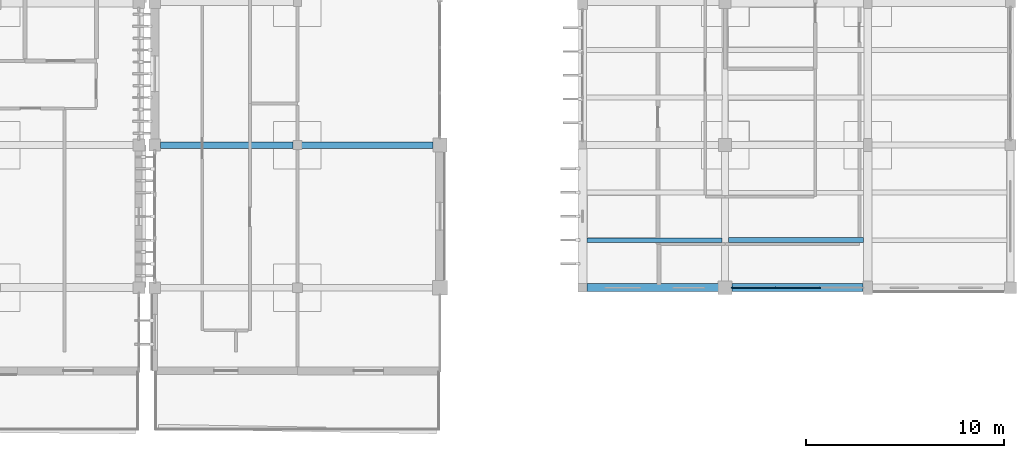
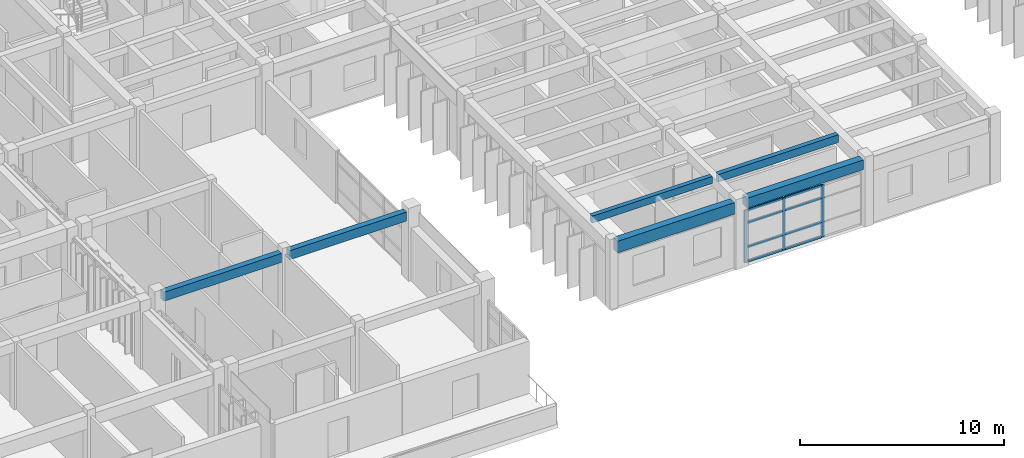
# One storey, part 5 of 55: 11 members, 6 beams, 1 element without a shape of its own.
"""IFC4 building model written with IfcOpenShell, lengths in metres."""

import ifcopenshell
import ifcopenshell.guid

model = None  # the IFC model being written
_history = None  # IfcOwnerHistory: only IFC2X3 demands one
_inside = {}  # id of a spatial element -> (the spatial element, [elements in it])
_under = {}  # id of a project, library or spatial element -> (it, [spatial elements below it])
_declared = {}  # id of a project -> (the project, [libraries it declares])
_typed = {}  # id of a type object -> (the type object, [elements of that type])
_made_of = {}  # id of a material, layer set ... -> (it, [elements and type objects made of it])


def new_model(schema):
    """Start an empty IFC model of exactly this schema.

    Asked for "IFC4X3", IfcOpenShell would pick the latest addendum, in which some entities
    have other attributes; the version numbers below select the first issue.
    IFC2X3 requires an IfcOwnerHistory on every rooted entity: one is made here for all.
    """
    global model, _history
    if schema == "IFC4X3":
        model = ifcopenshell.file(schema_version=(4, 3, 0, 0))
    else:
        model = ifcopenshell.file(schema=schema)
    _inside.clear()
    _under.clear()
    _declared.clear()
    _typed.clear()
    _made_of.clear()
    _history = None
    if model.schema == "IFC2X3":
        org = make("IfcOrganization", Name="unknown")
        user = make(
            "IfcPersonAndOrganization",
            ThePerson=make("IfcPerson", FamilyName="unknown"),
            TheOrganization=org,
        )
        app = make(
            "IfcApplication",
            ApplicationDeveloper=org,
            Version="unknown",
            ApplicationFullName="unknown",
            ApplicationIdentifier="unknown",
        )
        _history = make(
            "IfcOwnerHistory",
            OwningUser=user,
            OwningApplication=app,
            ChangeAction="ADDED",
            CreationDate=0,
        )
    return model


def make(cls, **values):
    """One entity of the class cls with the attributes given. An attribute that is None is left unset."""
    return model.create_entity(
        cls, **{name: value for name, value in values.items() if value is not None}
    )


def rooted(cls, **values):
    """An entity with a GlobalId (a new one), such as an element, a storey or a relation."""
    return make(cls, GlobalId=ifcopenshell.guid.new(), OwnerHistory=_history, **values)


def si_unit(unit_type, name, prefix=None):
    """IfcSIUnit, for example si_unit("LENGTHUNIT", "METRE", prefix="MILLI")."""
    return make("IfcSIUnit", UnitType=unit_type, Prefix=prefix, Name=name)


def assignment(units):
    """IfcUnitAssignment: the units of a project."""
    return None if units is None else make("IfcUnitAssignment", Units=units)


def point(xyz):
    """IfcCartesianPoint."""
    return None if xyz is None else make("IfcCartesianPoint", Coordinates=xyz)


def direction(xyz):
    """IfcDirection."""
    return None if xyz is None else make("IfcDirection", DirectionRatios=xyz)


def frame(location, z_axis=None, x_axis=None):
    """IfcAxis2Placement3D, a coordinate frame: its origin and axes. An axis left out is left unset."""
    return make(
        "IfcAxis2Placement3D",
        Location=point(location),
        Axis=direction(z_axis),
        RefDirection=direction(x_axis),
    )


def frame_2d(location, x_axis=None):
    """IfcAxis2Placement2D, a coordinate frame in the plane: its origin and x axis."""
    return make(
        "IfcAxis2Placement2D", Location=point(location), RefDirection=direction(x_axis)
    )


def origin():
    """The frame at (0, 0, 0) with its axes left unset."""
    return frame((0.0, 0.0, 0.0))


def origin_2d():
    """The frame at (0, 0) in the plane with its x axis left unset."""
    return frame_2d((0.0, 0.0))


def place(relative_to, where):
    """IfcLocalPlacement: puts the frame where relative to a parent placement (None: the world)."""
    return make(
        "IfcLocalPlacement", PlacementRelTo=relative_to, RelativePlacement=where
    )


def context(
    kind, dimensions, precision=None, world=None, true_north=None, identifier=None
):
    """IfcGeometricRepresentationContext, for example the 3D "Model" context."""
    return make(
        "IfcGeometricRepresentationContext",
        ContextIdentifier=identifier,
        ContextType=kind,
        CoordinateSpaceDimension=dimensions,
        Precision=precision,
        WorldCoordinateSystem=world,
        TrueNorth=true_north,
    )


def subcontext(parent, identifier, kind, view, scale=None):
    """IfcGeometricRepresentationSubContext, for example "Body" below "Model"."""
    return make(
        "IfcGeometricRepresentationSubContext",
        ContextIdentifier=identifier,
        ContextType=kind,
        ParentContext=parent,
        TargetScale=scale,
        TargetView=view,
    )


def project(units=None, contexts=None):
    """IfcProject with its units and contexts."""
    return rooted(
        "IfcProject",
        Name="project",
        RepresentationContexts=contexts,
        UnitsInContext=assignment(units),
    )


def spatial(cls, under=None, at=None, **own):
    """A site, building, storey or space (cls), placed at a placement, below another one or the project."""
    s = rooted(cls, ObjectPlacement=at, **own)
    if under is not None:
        _under.setdefault(under.id(), (under, []))[1].append(s)
    return s


def profile(cls, at=None, kind="AREA", **sizes):
    """A parametric profile (cls). Its sizes go by their IFC names, for example OverallWidth=200.0."""
    return make(cls, ProfileType=kind, Position=at, **sizes)


def rectangle(**sizes):
    """IfcRectangleProfileDef."""
    return profile("IfcRectangleProfileDef", **sizes)


def extrude(swept, where, along, depth):
    """IfcExtrudedAreaSolid: the profile swept, set in the frame where, extruded along a direction by depth."""
    return make(
        "IfcExtrudedAreaSolid",
        SweptArea=swept,
        Position=where,
        ExtrudedDirection=direction(along),
        Depth=depth,
    )


def shape(context_of_items, identifier, shape_type, items):
    """IfcShapeRepresentation: the items that make up one representation, for example the "Body"."""
    return make(
        "IfcShapeRepresentation",
        ContextOfItems=context_of_items,
        RepresentationIdentifier=identifier,
        RepresentationType=shape_type,
        Items=items,
    )


def material(Name=None, Category=None):
    """IfcMaterial."""
    return make("IfcMaterial", Name=Name, Category=Category)


def material_profile(
    of_material, cross_section, Name=None, Category=None, Priority=None
):
    """IfcMaterialProfile: a cross section and its material."""
    return make(
        "IfcMaterialProfile",
        Name=Name,
        Material=of_material,
        Profile=cross_section,
        Priority=Priority,
        Category=Category,
    )


def profile_set(profiles, Name=None, composite=None):
    """IfcMaterialProfileSet."""
    return make(
        "IfcMaterialProfileSet",
        Name=Name,
        MaterialProfiles=profiles,
        CompositeProfile=composite,
    )


def made_of(thing, what):
    """Note that an element or type object is made of a material, layer set ...; save() writes the relation."""
    if what is not None:
        _made_of.setdefault(what.id(), (what, []))[1].append(thing)
    return thing


def type_object(cls, material=None, **own):
    """A type object (cls), such as IfcWallType, which elements share."""
    return made_of(rooted(cls, **own), material)


def element(
    cls,
    number,
    at=None,
    inside=None,
    cuts=None,
    type_object=None,
    material=None,
    context=None,
    identifier="Body",
    shape_type=None,
    held_by="IfcProductDefinitionShape",
    body=None,
    shapes=None,
    **own,
):
    """One element of the class cls, such as IfcWall. Its Tag is "e" and its number.

    at: its placement. inside: the storey or other place that contains it. cuts: it is an
    opening in that element (IfcRelVoidsElement). A single representation is given by context,
    identifier, shape_type and body (its items); several are given by shapes. held_by: the class
    of the entity that holds the representations. save() writes the other relations.
    """
    e = rooted(cls, Tag="e%d" % number, ObjectPlacement=at, **own)
    if body is not None:
        shapes = [shape(context, identifier, shape_type, body)]
    if shapes is not None:
        e.Representation = make(held_by, Representations=shapes)
    if inside is not None:
        _inside.setdefault(inside.id(), (inside, []))[1].append(e)
    if cuts is not None:
        rooted(
            "IfcRelVoidsElement", RelatingBuildingElement=cuts, RelatedOpeningElement=e
        )
    if type_object is not None:
        _typed.setdefault(type_object.id(), (type_object, []))[1].append(e)
    return made_of(e, material)


def aggregate(whole, parts):
    """IfcRelAggregates: a whole, such as a stair, and the parts it consists of."""
    return rooted("IfcRelAggregates", RelatingObject=whole, RelatedObjects=parts)


def save(model, path):
    """Write the relations noted so far, then the file.

    IfcRelAggregates (storeys below a building ...), IfcRelContainedInSpatialStructure (elements
    in a storey), IfcRelDefinesByType, IfcRelAssociatesMaterial and IfcRelDeclares: one each for
    every whole, place, type object, material and project.
    """
    for whole, parts in _under.values():
        aggregate(whole, parts)
    for where, things in _inside.values():
        rooted(
            "IfcRelContainedInSpatialStructure",
            RelatedElements=things,
            RelatingStructure=where,
        )
    for kind, things in _typed.values():
        rooted("IfcRelDefinesByType", RelatedObjects=things, RelatingType=kind)
    for what, things in _made_of.values():
        rooted("IfcRelAssociatesMaterial", RelatedObjects=things, RelatingMaterial=what)
    for by, libraries in _declared.values():
        rooted("IfcRelDeclares", RelatingContext=by, RelatedDefinitions=libraries)
    model.write(path)


model = new_model("IFC4")

# Units and contexts
model_context = context("Model", 3, precision=1e-05, world=origin(), true_north=direction((0.0, 1.0)))
body_context = subcontext(model_context, "Body", "Model", "MODEL_VIEW")
ifc_project = project(units=[si_unit("LENGTHUNIT", "METRE"), si_unit("AREAUNIT", "SQUARE_METRE"), si_unit("VOLUMEUNIT", "CUBIC_METRE"), si_unit("PLANEANGLEUNIT", "RADIAN"), si_unit("MASSUNIT", "GRAM", prefix="KILO")], contexts=[model_context])

# Site, building, storey
site_placement = place(None, origin())
site = spatial("IfcSite", under=ifc_project, at=site_placement, CompositionType="ELEMENT")
building_placement = place(site_placement, origin())
building = spatial("IfcBuilding", under=site, at=building_placement, Name="Steenspoor Specialist Clinic", CompositionType="ELEMENT")
storey_placement = place(building_placement, frame((0.0, 0.0, 13.199951171875)))
storey = spatial("IfcBuildingStorey", under=building, at=storey_placement, Name="L03", CompositionType="ELEMENT", Elevation=13.199951171875)

# Beams
ifc_material_1 = material(Name="Concrete C35/45", Category="concrete")
ifc_material_profile_1 = material_profile(ifc_material_1, rectangle(XDim=0.39990234375, YDim=0.580078125, at=origin_2d()), Name="RC-BM-400X580")
ifc_profile_set_1 = profile_set([ifc_material_profile_1], Name="Concrete C35/45")
beam_type_1 = type_object("IfcBeamType", Name="BM-RC-400X580", PredefinedType="BEAM", material=ifc_profile_set_1)
beam_1_placement = place(storey_placement, frame((81.544921875, 72.35009765625, 3.66015625), z_axis=(1.0, 0.0, 0.0), x_axis=(0.0, 1.0, 0.0)))
element("IfcBeam", 1, at=beam_1_placement, inside=storey, type_object=beam_type_1, Name="BM-V4-L03-X0810", PredefinedType="BEAM", context=body_context, shape_type="SweptSolid", body=[
    extrude(rectangle(XDim=0.39990234375, YDim=0.580078125, at=origin_2d()), origin(), (0.0, 0.0, 1.0), 6.610107421875),
])
ifc_material_profile_2 = material_profile(ifc_material_1, rectangle(XDim=0.39990234375, YDim=0.699951171875, at=origin_2d()), Name="RC-BM-400X700")
ifc_profile_set_2 = profile_set([ifc_material_profile_2], Name="Concrete C35/45")
beam_type_2 = type_object("IfcBeamType", Name="BM-RC-400X700", PredefinedType="BEAM", material=ifc_profile_set_2)
beam_2_placement = place(storey_placement, frame((74.219970703125, 72.35009765625, 3.60009765625), z_axis=(1.0, 0.0, 0.0), x_axis=(0.0, 1.0, 0.0)))
element("IfcBeam", 2, at=beam_2_placement, inside=storey, type_object=beam_type_2, Name="BM-V4-L03-X0809", PredefinedType="BEAM", context=body_context, shape_type="SweptSolid", body=[
    extrude(rectangle(XDim=0.39990234375, YDim=0.699951171875, at=origin_2d()), origin(), (0.0, 0.0, 1.0), 6.635009765625),
])

# Curtain wall, members
ifc_material_2 = material(Name="Thermally broken aluminium and low-emissivity glass", Category="aluminium")
curtain_wall_type = type_object("IfcCurtainWallType", Name="CW-WLK-640X340", PredefinedType="USERDEFINED", material=ifc_material_2)
curtain_wall_placement = place(storey_placement, origin())
curtain_wall = element("IfcCurtainWall", 3, at=curtain_wall_placement, inside=storey, type_object=curtain_wall_type, Name="Unitised Curtain Wall CW-V4-L03-116", ObjectType="UNITISED GLAZING", PredefinedType="USERDEFINED")
ifc_material_3 = material(Name="Thermally broken aluminium 6063-T6", Category="aluminium")
ifc_material_profile_3 = material_profile(ifc_material_3, rectangle(XDim=0.070068359375, YDim=0.1650390625, at=origin_2d()), Name="CWM-70X165")
ifc_profile_set_3 = profile_set([ifc_material_profile_3], Name="Thermally broken aluminium 6063-T6")
member_type_1 = type_object("IfcMemberType", Name="CW-MULL-70X165", PredefinedType="MULLION", material=ifc_profile_set_3)
member_1_placement = place(storey_placement, frame((85.949951171875, 72.35009765625, 0.0), z_axis=(0.0, 0.0, 1.0), x_axis=(0.0, -1.0, 0.0)))
member_1 = element("IfcMember", 4, at=member_1_placement, type_object=member_type_1, Name="CW-20 mullion 2", PredefinedType="MULLION", context=body_context, shape_type="SweptSolid", body=[
    extrude(rectangle(XDim=0.070068359375, YDim=0.1650390625, at=origin_2d()), origin(), (0.0, 0.0, 1.0), 3.130126953125),
])
member_2_placement = place(storey_placement, frame((83.75, 72.35009765625, 0.0), z_axis=(0.0, 0.0, 1.0), x_axis=(0.0, -1.0, 0.0)))
member_2 = element("IfcMember", 5, at=member_2_placement, type_object=member_type_1, Name="CW-20 mullion 3", PredefinedType="MULLION", context=body_context, shape_type="SweptSolid", body=[
    extrude(rectangle(XDim=0.070068359375, YDim=0.1650390625, at=origin_2d()), origin(), (0.0, 0.0, 1.0), 3.130126953125),
])
member_3_placement = place(storey_placement, frame((81.5849609375, 72.35009765625, 0.0), z_axis=(0.0, 0.0, 1.0), x_axis=(0.0, -1.0, 0.0)))
member_3 = element("IfcMember", 6, at=member_3_placement, type_object=member_type_1, Name="CW-20 mullion 4", PredefinedType="MULLION", context=body_context, shape_type="SweptSolid", body=[
    extrude(rectangle(XDim=0.070068359375, YDim=0.1650390625, at=origin_2d()), origin(), (0.0, 0.0, 1.0), 3.130126953125),
])
ifc_material_profile_4 = material_profile(ifc_material_3, rectangle(XDim=0.070068359375, YDim=0.14501953125, at=origin_2d()), Name="CWT-70X145")
ifc_profile_set_4 = profile_set([ifc_material_profile_4], Name="Thermally broken aluminium 6063-T6")
member_type_2 = type_object("IfcMemberType", Name="CW-TRAN-70X145", PredefinedType="USERDEFINED", material=ifc_profile_set_4)
member_4_placement = place(storey_placement, frame((85.9150390625, 72.35009765625, 0.03515625), z_axis=(-1.0, 0.0, 0.0), x_axis=(0.0, -1.0, 0.0)))
member_4 = element("IfcMember", 7, at=member_4_placement, type_object=member_type_2, Name="CW-20 transom 2.1", ObjectType="TRANSOM", PredefinedType="USERDEFINED", context=body_context, shape_type="SweptSolid", body=[
    extrude(rectangle(XDim=0.070068359375, YDim=0.14501953125, at=origin_2d()), origin(), (0.0, 0.0, 1.0), 2.130126953125),
])
member_5_placement = place(storey_placement, frame((85.9150390625, 72.35009765625, 0.900146484375), z_axis=(-1.0, 0.0, 0.0), x_axis=(0.0, -1.0, 0.0)))
member_5 = element("IfcMember", 8, at=member_5_placement, type_object=member_type_2, Name="CW-20 transom 2.2", ObjectType="TRANSOM", PredefinedType="USERDEFINED", context=body_context, shape_type="SweptSolid", body=[
    extrude(rectangle(XDim=0.070068359375, YDim=0.14501953125, at=origin_2d()), origin(), (0.0, 0.0, 1.0), 2.130126953125),
])
member_6_placement = place(storey_placement, frame((85.9150390625, 72.35009765625, 2.35009765625), z_axis=(-1.0, 0.0, 0.0), x_axis=(0.0, -1.0, 0.0)))
member_6 = element("IfcMember", 9, at=member_6_placement, type_object=member_type_2, Name="CW-20 transom 2.3", ObjectType="TRANSOM", PredefinedType="USERDEFINED", context=body_context, shape_type="SweptSolid", body=[
    extrude(rectangle(XDim=0.070068359375, YDim=0.14501953125, at=origin_2d()), origin(), (0.0, 0.0, 1.0), 2.130126953125),
])
member_7_placement = place(storey_placement, frame((85.9150390625, 72.35009765625, 3.094970703125), z_axis=(-1.0, 0.0, 0.0), x_axis=(0.0, -1.0, 0.0)))
member_7 = element("IfcMember", 10, at=member_7_placement, type_object=member_type_2, Name="CW-20 transom 2.4", ObjectType="TRANSOM", PredefinedType="USERDEFINED", context=body_context, shape_type="SweptSolid", body=[
    extrude(rectangle(XDim=0.070068359375, YDim=0.14501953125, at=origin_2d()), origin(), (0.0, 0.0, 1.0), 2.130126953125),
])
member_8_placement = place(storey_placement, frame((83.715087890625, 72.35009765625, 0.03515625), z_axis=(-1.0, 0.0, 0.0), x_axis=(0.0, -1.0, 0.0)))
member_8 = element("IfcMember", 11, at=member_8_placement, type_object=member_type_2, Name="CW-20 transom 3.1", ObjectType="TRANSOM", PredefinedType="USERDEFINED", context=body_context, shape_type="SweptSolid", body=[
    extrude(rectangle(XDim=0.070068359375, YDim=0.14501953125, at=origin_2d()), origin(), (0.0, 0.0, 1.0), 2.094970703125),
])
member_9_placement = place(storey_placement, frame((83.715087890625, 72.35009765625, 0.900146484375), z_axis=(-1.0, 0.0, 0.0), x_axis=(0.0, -1.0, 0.0)))
member_9 = element("IfcMember", 12, at=member_9_placement, type_object=member_type_2, Name="CW-20 transom 3.2", ObjectType="TRANSOM", PredefinedType="USERDEFINED", context=body_context, shape_type="SweptSolid", body=[
    extrude(rectangle(XDim=0.070068359375, YDim=0.14501953125, at=origin_2d()), origin(), (0.0, 0.0, 1.0), 2.094970703125),
])
member_10_placement = place(storey_placement, frame((83.715087890625, 72.35009765625, 2.35009765625), z_axis=(-1.0, 0.0, 0.0), x_axis=(0.0, -1.0, 0.0)))
member_10 = element("IfcMember", 13, at=member_10_placement, type_object=member_type_2, Name="CW-20 transom 3.3", ObjectType="TRANSOM", PredefinedType="USERDEFINED", context=body_context, shape_type="SweptSolid", body=[
    extrude(rectangle(XDim=0.070068359375, YDim=0.14501953125, at=origin_2d()), origin(), (0.0, 0.0, 1.0), 2.094970703125),
])
member_11_placement = place(storey_placement, frame((83.715087890625, 72.35009765625, 3.094970703125), z_axis=(-1.0, 0.0, 0.0), x_axis=(0.0, -1.0, 0.0)))
member_11 = element("IfcMember", 14, at=member_11_placement, type_object=member_type_2, Name="CW-20 transom 3.4", ObjectType="TRANSOM", PredefinedType="USERDEFINED", context=body_context, shape_type="SweptSolid", body=[
    extrude(rectangle(XDim=0.070068359375, YDim=0.14501953125, at=origin_2d()), origin(), (0.0, 0.0, 1.0), 2.094970703125),
])
aggregate(curtain_wall, [member_1, member_2, member_3, member_4, member_5, member_6, member_7, member_8, member_9, member_10, member_11])

# Beams
ifc_material_profile_5 = material_profile(ifc_material_1, rectangle(XDim=0.239990234375, YDim=0.419921875, at=origin_2d()), Name="RC-JT-240X420")
ifc_profile_set_5 = profile_set([ifc_material_profile_5], Name="Concrete C35/45")
beam_type_3 = type_object("IfcBeamType", Name="JT-RC-240X420", PredefinedType="JOIST", material=ifc_profile_set_5)
beam_3_placement = place(storey_placement, frame((74.219970703125, 74.75, 3.739990234375), z_axis=(1.0, 0.0, 0.0), x_axis=(0.0, 1.0, 0.0)))
element("IfcBeam", 15, at=beam_3_placement, inside=storey, type_object=beam_type_3, Name="JT-V4-L03-0876", PredefinedType="JOIST", context=body_context, shape_type="SweptSolid", body=[
    extrude(rectangle(XDim=0.239990234375, YDim=0.419921875, at=origin_2d()), origin(), (0.0, 0.0, 1.0), 6.81005859375),
])
ifc_material_profile_6 = material_profile(ifc_material_1, rectangle(XDim=0.260009765625, YDim=0.4599609375, at=origin_2d()), Name="RC-JT-260X460")
ifc_profile_set_6 = profile_set([ifc_material_profile_6], Name="Concrete C35/45")
beam_type_4 = type_object("IfcBeamType", Name="JT-RC-260X460", PredefinedType="JOIST", material=ifc_profile_set_6)
beam_4_placement = place(storey_placement, frame((81.3701171875, 74.75, 3.719970703125), z_axis=(1.0, 0.0, 0.0), x_axis=(0.0, 1.0, 0.0)))
element("IfcBeam", 16, at=beam_4_placement, inside=storey, type_object=beam_type_4, Name="JT-V4-L03-0884", PredefinedType="JOIST", context=body_context, shape_type="SweptSolid", body=[
    extrude(rectangle(XDim=0.260009765625, YDim=0.4599609375, at=origin_2d()), origin(), (0.0, 0.0, 1.0), 6.809814453125),
])
ifc_material_profile_7 = material_profile(ifc_material_1, rectangle(XDim=0.320068359375, YDim=0.5400390625, at=origin_2d()), Name="RC-SP-320X540")
ifc_profile_set_7 = profile_set([ifc_material_profile_7], Name="Concrete C35/45")
beam_type_5 = type_object("IfcBeamType", Name="SP-RC-320X540", PredefinedType="SPANDREL", material=ifc_profile_set_7)
beam_5_placement = place(storey_placement, frame((52.695068359375, 79.550048828125, 3.76513671875), z_axis=(1.0, 0.0, 0.0), x_axis=(0.0, 1.0, 0.0)))
element("IfcBeam", 17, at=beam_5_placement, inside=storey, type_object=beam_type_5, Name="BMTIER-V4-L03-X00-02", PredefinedType="SPANDREL", context=body_context, shape_type="SweptSolid", body=[
    extrude(rectangle(XDim=0.320068359375, YDim=0.5400390625, at=origin_2d()), origin(), (0.0, 0.0, 1.0), 6.684814453125),
])
beam_6_placement = place(storey_placement, frame((59.820068359375, 79.550048828125, 3.76513671875), z_axis=(1.0, 0.0, 0.0), x_axis=(0.0, 1.0, 0.0)))
element("IfcBeam", 18, at=beam_6_placement, inside=storey, type_object=beam_type_5, Name="BMTIER-V4-L03-X01-02", PredefinedType="SPANDREL", context=body_context, shape_type="SweptSolid", body=[
    extrude(rectangle(XDim=0.320068359375, YDim=0.5400390625, at=origin_2d()), origin(), (0.0, 0.0, 1.0), 6.635009765625),
])

save(model, "model.ifc")
